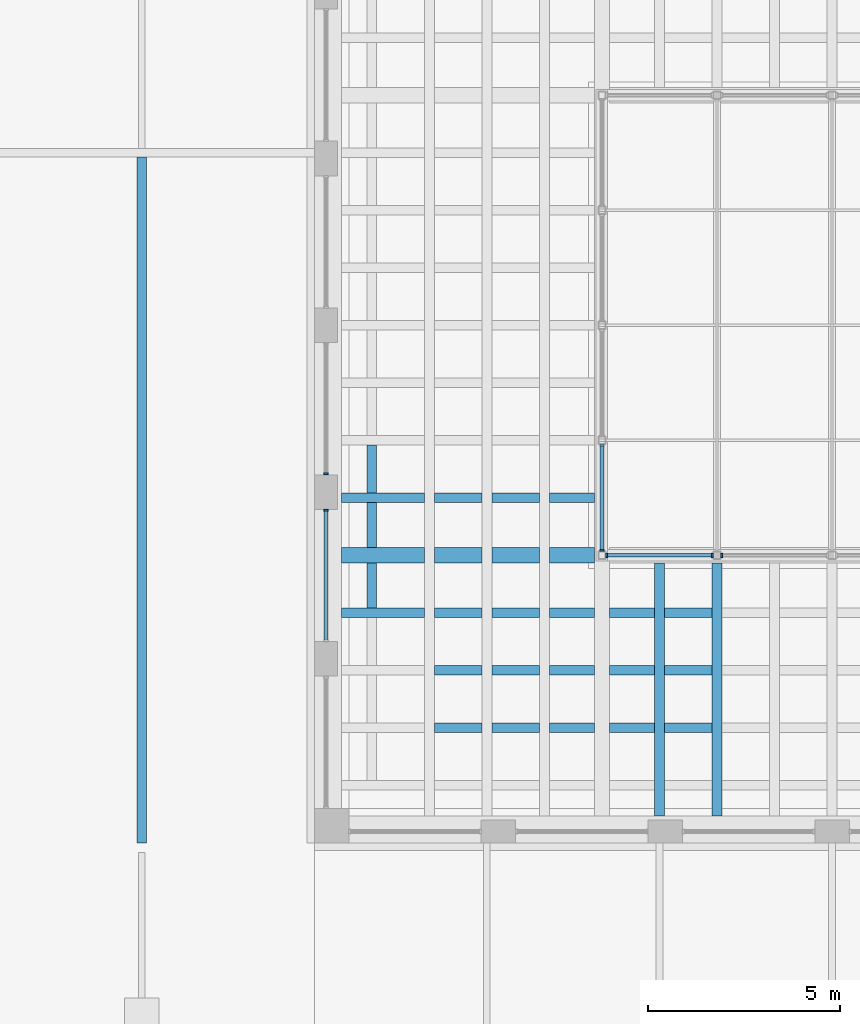
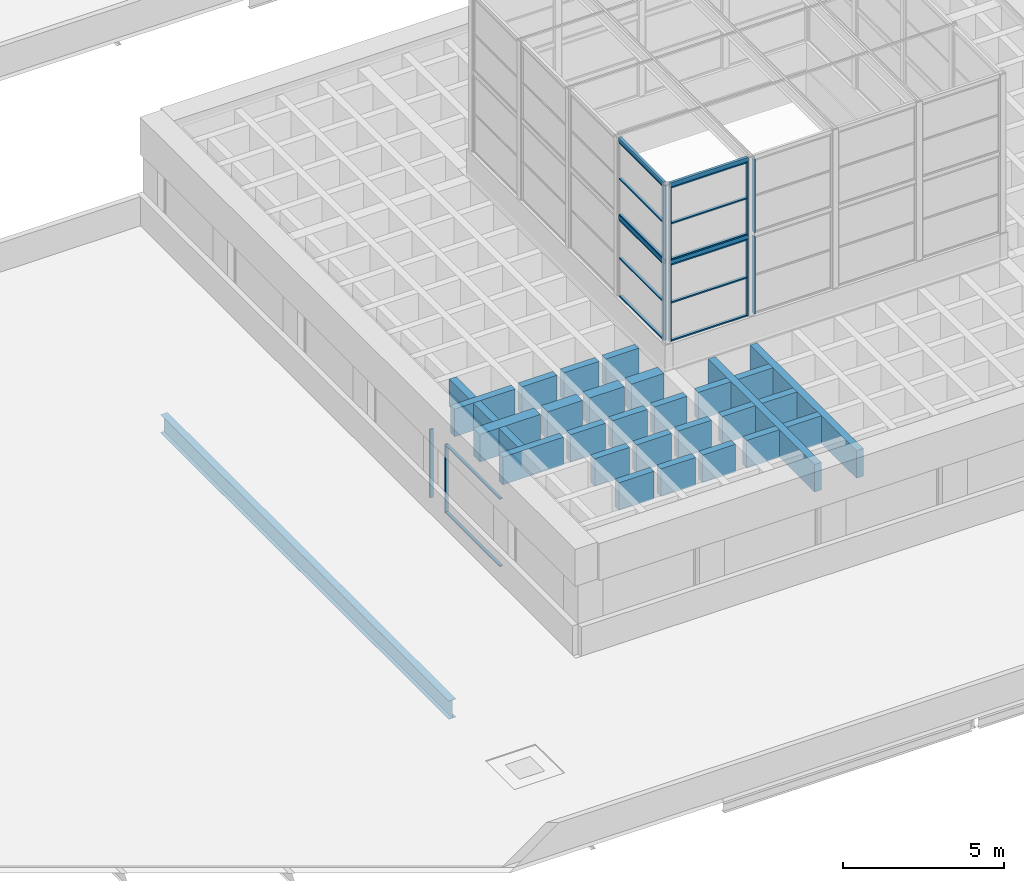
# One storey, part 13 of 50: 34 beams, 24 members, 8 elements without a shape of their own.
"""IFC4 building model written with IfcOpenShell, lengths in metres."""

from ifc_helpers import new_model, si_unit, direction, frame, origin, origin_2d, place, context, subcontext, project, spatial, rectangle, hollow_rectangle, i_section, extrude, material, layer, layer_set, material_profile, profile_set, type_object, element, aggregate, save


model = new_model("IFC4")

# Units and contexts
model_context = context("Model", 3, precision=1e-05, world=origin(), true_north=direction((0.0, 1.0)))
body_context = subcontext(model_context, "Body", "Model", "MODEL_VIEW")
ifc_project = project(units=[si_unit("LENGTHUNIT", "METRE"), si_unit("AREAUNIT", "SQUARE_METRE"), si_unit("VOLUMEUNIT", "CUBIC_METRE"), si_unit("PLANEANGLEUNIT", "RADIAN"), si_unit("MASSUNIT", "GRAM", prefix="KILO")], contexts=[model_context])

# Site, building, storey
site_placement = place(None, origin())
site = spatial("IfcSite", under=ifc_project, at=site_placement, CompositionType="ELEMENT")
building_placement = place(site_placement, origin())
building = spatial("IfcBuilding", under=site, at=building_placement, Name="Corbel Yard City Hall", CompositionType="ELEMENT")
storey_placement = place(building_placement, frame((0.0, 0.0, 15.0)))
storey = spatial("IfcBuildingStorey", under=building, at=storey_placement, Name="L03", CompositionType="ELEMENT", Elevation=15.0)

# Beams
ifc_material_1 = material(Name="Concrete N50 (50 MPa)", Category="concrete")
ifc_material_profile_1 = material_profile(ifc_material_1, rectangle(XDim=0.25, YDim=1.050048828125, at=origin_2d()), Name="250x1050")
ifc_profile_set_1 = profile_set([ifc_material_profile_1], Name="Concrete N50 (50 MPa)")
beam_type_1 = type_object("IfcBeamType", Name="Coffer bay rib RC 250X1050", PredefinedType="T_BEAM", material=ifc_profile_set_1)
for number, where, z_axis, x_axis, name in (
    (1, (126.0, 54.699951171875, 3.125), (0.0, 1.0, 0.0), (-1.0, 0.0, 0.0), "Coffer bay rib RB5"),
    (2, (127.5, 54.699951171875, 3.125), (0.0, 1.0, 0.0), (-1.0, 0.0, 0.0), "Coffer bay rib RB5"),
):
    element("IfcBeam", number, at=place(storey_placement, frame(where, z_axis=z_axis, x_axis=x_axis)), inside=storey, type_object=beam_type_1, Name=name, PredefinedType="T_BEAM", context=body_context, shape_type="SweptSolid", body=[
        extrude(rectangle(XDim=0.25, YDim=1.050048828125, at=origin_2d()), origin(), (0.0, 0.0, 1.0), 6.60009765625),
    ])
ifc_material_profile_2 = material_profile(ifc_material_1, rectangle(XDim=0.25, YDim=1.050048828125, at=origin_2d()), Name="250x1050")
ifc_profile_set_2 = profile_set([ifc_material_profile_2], Name="Concrete N50 (50 MPa)")
beam_type_2 = type_object("IfcBeamType", Name="Coffer cross rib RC 250X1050", PredefinedType="T_BEAM", material=ifc_profile_set_2)
for number, where, z_axis, x_axis, name in (
    (3, (118.5, 60.125, 3.125), (0.0, 1.0, 0.0), (-1.0, 0.0, 0.0), "Coffer cross rib RB3"),
    (4, (118.5, 61.699951171875, 3.125), (0.0, 1.0, 0.0), (-1.0, 0.0, 0.0), "Coffer cross rib RB3"),
):
    element("IfcBeam", number, at=place(storey_placement, frame(where, z_axis=z_axis, x_axis=x_axis)), inside=storey, type_object=beam_type_2, Name=name, PredefinedType="T_BEAM", context=body_context, shape_type="SweptSolid", body=[
        extrude(rectangle(XDim=0.25, YDim=1.050048828125, at=origin_2d()), origin(), (0.0, 0.0, 1.0), 1.175048828125),
    ])
for number, where, z_axis, x_axis, name in (
    (5, (118.5, 63.125, 3.125), (0.0, 1.0, 0.0), (-1.0, 0.0, 0.0), "Coffer cross rib RB3"),
    (6, (120.125, 57.0, 3.125), (1.0, 0.0, 0.0), (0.0, 1.0, 0.0), "Coffer cross rib RB3"),
    (7, (121.625, 57.0, 3.125), (1.0, 0.0, 0.0), (0.0, 1.0, 0.0), "Coffer cross rib RB3"),
):
    element("IfcBeam", number, at=place(storey_placement, frame(where, z_axis=z_axis, x_axis=x_axis)), inside=storey, type_object=beam_type_2, Name=name, PredefinedType="T_BEAM", context=body_context, shape_type="SweptSolid", body=[
        extrude(rectangle(XDim=0.25, YDim=1.050048828125, at=origin_2d()), origin(), (0.0, 0.0, 1.0), 1.25),
    ])
for number, where, z_axis, x_axis, name in (
    (8, (123.125, 57.0, 3.125), (1.0, 0.0, 0.0), (0.0, 1.0, 0.0), "Coffer cross rib RB3"),
    (9, (124.699951171875, 57.0, 3.125), (1.0, 0.0, 0.0), (0.0, 1.0, 0.0), "Coffer cross rib RB3"),
):
    element("IfcBeam", number, at=place(storey_placement, frame(where, z_axis=z_axis, x_axis=x_axis)), inside=storey, type_object=beam_type_2, Name=name, PredefinedType="T_BEAM", context=body_context, shape_type="SweptSolid", body=[
        extrude(rectangle(XDim=0.25, YDim=1.050048828125, at=origin_2d()), origin(), (0.0, 0.0, 1.0), 1.175048828125),
    ])
for number, where, z_axis, x_axis, name in (
    (10, (126.125, 57.0, 3.125), (1.0, 0.0, 0.0), (0.0, 1.0, 0.0), "Coffer cross rib RB3"),
    (11, (120.125, 58.5, 3.125), (1.0, 0.0, 0.0), (0.0, 1.0, 0.0), "Coffer cross rib RB3"),
    (12, (121.625, 58.5, 3.125), (1.0, 0.0, 0.0), (0.0, 1.0, 0.0), "Coffer cross rib RB3"),
):
    element("IfcBeam", number, at=place(storey_placement, frame(where, z_axis=z_axis, x_axis=x_axis)), inside=storey, type_object=beam_type_2, Name=name, PredefinedType="T_BEAM", context=body_context, shape_type="SweptSolid", body=[
        extrude(rectangle(XDim=0.25, YDim=1.050048828125, at=origin_2d()), origin(), (0.0, 0.0, 1.0), 1.25),
    ])
for number, where, z_axis, x_axis, name in (
    (13, (123.125, 58.5, 3.125), (1.0, 0.0, 0.0), (0.0, 1.0, 0.0), "Coffer cross rib RB3"),
    (14, (124.699951171875, 58.5, 3.125), (1.0, 0.0, 0.0), (0.0, 1.0, 0.0), "Coffer cross rib RB3"),
):
    element("IfcBeam", number, at=place(storey_placement, frame(where, z_axis=z_axis, x_axis=x_axis)), inside=storey, type_object=beam_type_2, Name=name, PredefinedType="T_BEAM", context=body_context, shape_type="SweptSolid", body=[
        extrude(rectangle(XDim=0.25, YDim=1.050048828125, at=origin_2d()), origin(), (0.0, 0.0, 1.0), 1.175048828125),
    ])
beam_1_placement = place(storey_placement, frame((126.125, 58.5, 3.125), z_axis=(1.0, 0.0, 0.0), x_axis=(0.0, 1.0, 0.0)))
element("IfcBeam", 15, at=beam_1_placement, inside=storey, type_object=beam_type_2, Name="Coffer cross rib RB3", PredefinedType="T_BEAM", context=body_context, shape_type="SweptSolid", body=[
    extrude(rectangle(XDim=0.25, YDim=1.050048828125, at=origin_2d()), origin(), (0.0, 0.0, 1.0), 1.25),
])
beam_2_placement = place(storey_placement, frame((117.699951171875, 60.0, 3.125), z_axis=(1.0, 0.0, 0.0), x_axis=(0.0, 1.0, 0.0)))
element("IfcBeam", 16, at=beam_2_placement, inside=storey, type_object=beam_type_2, Name="Coffer cross rib RB3", PredefinedType="T_BEAM", context=body_context, shape_type="SweptSolid", body=[
    extrude(rectangle(XDim=0.25, YDim=1.050048828125, at=origin_2d()), origin(), (0.0, 0.0, 1.0), 2.175048828125),
])
for number, where, z_axis, x_axis, name in (
    (17, (120.125, 60.0, 3.125), (1.0, 0.0, 0.0), (0.0, 1.0, 0.0), "Coffer cross rib RB3"),
    (18, (121.625, 60.0, 3.125), (1.0, 0.0, 0.0), (0.0, 1.0, 0.0), "Coffer cross rib RB3"),
):
    element("IfcBeam", number, at=place(storey_placement, frame(where, z_axis=z_axis, x_axis=x_axis)), inside=storey, type_object=beam_type_2, Name=name, PredefinedType="T_BEAM", context=body_context, shape_type="SweptSolid", body=[
        extrude(rectangle(XDim=0.25, YDim=1.050048828125, at=origin_2d()), origin(), (0.0, 0.0, 1.0), 1.25),
    ])
for number, where, z_axis, x_axis, name in (
    (19, (123.125, 60.0, 3.125), (1.0, 0.0, 0.0), (0.0, 1.0, 0.0), "Coffer cross rib RB3"),
    (20, (124.699951171875, 60.0, 3.125), (1.0, 0.0, 0.0), (0.0, 1.0, 0.0), "Coffer cross rib RB3"),
):
    element("IfcBeam", number, at=place(storey_placement, frame(where, z_axis=z_axis, x_axis=x_axis)), inside=storey, type_object=beam_type_2, Name=name, PredefinedType="T_BEAM", context=body_context, shape_type="SweptSolid", body=[
        extrude(rectangle(XDim=0.25, YDim=1.050048828125, at=origin_2d()), origin(), (0.0, 0.0, 1.0), 1.175048828125),
    ])
beam_3_placement = place(storey_placement, frame((126.125, 60.0, 3.125), z_axis=(1.0, 0.0, 0.0), x_axis=(0.0, 1.0, 0.0)))
element("IfcBeam", 21, at=beam_3_placement, inside=storey, type_object=beam_type_2, Name="Coffer cross rib RB3", PredefinedType="T_BEAM", context=body_context, shape_type="SweptSolid", body=[
    extrude(rectangle(XDim=0.25, YDim=1.050048828125, at=origin_2d()), origin(), (0.0, 0.0, 1.0), 1.25),
])
beam_4_placement = place(storey_placement, frame((117.699951171875, 63.0, 3.125), z_axis=(1.0, 0.0, 0.0), x_axis=(0.0, 1.0, 0.0)))
element("IfcBeam", 22, at=beam_4_placement, inside=storey, type_object=beam_type_2, Name="Coffer cross rib RB3", PredefinedType="T_BEAM", context=body_context, shape_type="SweptSolid", body=[
    extrude(rectangle(XDim=0.25, YDim=1.050048828125, at=origin_2d()), origin(), (0.0, 0.0, 1.0), 2.175048828125),
])
for number, where, z_axis, x_axis, name in (
    (23, (120.125, 63.0, 3.125), (1.0, 0.0, 0.0), (0.0, 1.0, 0.0), "Coffer cross rib RB3"),
    (24, (121.625, 63.0, 3.125), (1.0, 0.0, 0.0), (0.0, 1.0, 0.0), "Coffer cross rib RB3"),
):
    element("IfcBeam", number, at=place(storey_placement, frame(where, z_axis=z_axis, x_axis=x_axis)), inside=storey, type_object=beam_type_2, Name=name, PredefinedType="T_BEAM", context=body_context, shape_type="SweptSolid", body=[
        extrude(rectangle(XDim=0.25, YDim=1.050048828125, at=origin_2d()), origin(), (0.0, 0.0, 1.0), 1.25),
    ])
beam_5_placement = place(storey_placement, frame((123.125, 63.0, 3.125), z_axis=(1.0, 0.0, 0.0), x_axis=(0.0, 1.0, 0.0)))
element("IfcBeam", 25, at=beam_5_placement, inside=storey, type_object=beam_type_2, Name="Coffer cross rib RB3", PredefinedType="T_BEAM", context=body_context, shape_type="SweptSolid", body=[
    extrude(rectangle(XDim=0.25, YDim=1.050048828125, at=origin_2d()), origin(), (0.0, 0.0, 1.0), 1.175048828125),
])
ifc_material_2 = material(Name="Steel Grade C450L0", Category="steel")
ifc_material_profile_3 = material_profile(ifc_material_2, hollow_rectangle(XDim=0.10009765625, YDim=0.14990234375, WallThickness=0.006103515625, at=origin_2d()), Name="150x100x6.0RHS")
ifc_profile_set_3 = profile_set([ifc_material_profile_3], Name="Steel Grade C450L0")
beam_type_3 = type_object("IfcBeamType", Name="Lantern frame beam 150x100x6.0RHS", PredefinedType="BEAM", material=ifc_profile_set_3)
for number, where, z_axis, x_axis, name in (
    (26, (124.60009765625, 61.5, 10.574951171875), (1.0, 0.0, 0.0), (0.0, 1.0, 0.0), "Lantern frame beam 150x100x6.0RHS SB22"),
    (27, (124.5, 61.60009765625, 10.574951171875), (0.0, 1.0, 0.0), (-1.0, 0.0, 0.0), "Lantern frame beam 150x100x6.0RHS SB22"),
    (28, (124.60009765625, 61.5, 7.64990234375), (1.0, 0.0, 0.0), (0.0, 1.0, 0.0), "Lantern frame beam 150x100x6.0RHS SB22"),
    (29, (124.5, 61.60009765625, 7.64990234375), (0.0, 1.0, 0.0), (-1.0, 0.0, 0.0), "Lantern frame beam 150x100x6.0RHS SB22"),
):
    element("IfcBeam", number, at=place(storey_placement, frame(where, z_axis=z_axis, x_axis=x_axis)), inside=storey, type_object=beam_type_3, Name=name, PredefinedType="BEAM", context=body_context, shape_type="SweptSolid", body=[
        extrude(hollow_rectangle(XDim=0.10009765625, YDim=0.14990234375, WallThickness=0.006103515625, at=origin_2d()), origin(), (0.0, 0.0, 1.0), 2.7998046875),
    ])
ifc_material_profile_4 = material_profile(ifc_material_1, rectangle(XDim=0.39990234375, YDim=1.050048828125, at=origin_2d()), Name="400x1050")
ifc_profile_set_4 = profile_set([ifc_material_profile_4], Name="Concrete N50 (50 MPa)")
beam_type_4 = type_object("IfcBeamType", Name="Lantern trimmer cross rib RC 400X1050", PredefinedType="BEAM", material=ifc_profile_set_4)
beam_6_placement = place(storey_placement, frame((117.699951171875, 61.5, 3.125), z_axis=(1.0, 0.0, 0.0), x_axis=(0.0, 1.0, 0.0)))
element("IfcBeam", 30, at=beam_6_placement, inside=storey, type_object=beam_type_4, Name="Lantern trimmer cross rib RB4", PredefinedType="BEAM", context=body_context, shape_type="SweptSolid", body=[
    extrude(rectangle(XDim=0.39990234375, YDim=1.050048828125, at=origin_2d()), origin(), (0.0, 0.0, 1.0), 2.175048828125),
])
for number, where, z_axis, x_axis, name in (
    (31, (120.125, 61.5, 3.125), (1.0, 0.0, 0.0), (0.0, 1.0, 0.0), "Lantern trimmer cross rib RB4"),
    (32, (121.625, 61.5, 3.125), (1.0, 0.0, 0.0), (0.0, 1.0, 0.0), "Lantern trimmer cross rib RB4"),
):
    element("IfcBeam", number, at=place(storey_placement, frame(where, z_axis=z_axis, x_axis=x_axis)), inside=storey, type_object=beam_type_4, Name=name, PredefinedType="BEAM", context=body_context, shape_type="SweptSolid", body=[
        extrude(rectangle(XDim=0.39990234375, YDim=1.050048828125, at=origin_2d()), origin(), (0.0, 0.0, 1.0), 1.25),
    ])
beam_7_placement = place(storey_placement, frame((123.125, 61.5, 3.125), z_axis=(1.0, 0.0, 0.0), x_axis=(0.0, 1.0, 0.0)))
element("IfcBeam", 33, at=beam_7_placement, inside=storey, type_object=beam_type_4, Name="Lantern trimmer cross rib RB4", PredefinedType="BEAM", context=body_context, shape_type="SweptSolid", body=[
    extrude(rectangle(XDim=0.39990234375, YDim=1.050048828125, at=origin_2d()), origin(), (0.0, 0.0, 1.0), 1.175048828125),
])
ifc_material_3 = material(Name="Steel Grade 350", Category="steel")
ifc_material_profile_5 = material_profile(ifc_material_3, i_section(OverallWidth=0.25, OverallDepth=0.699951171875, WebThickness=0.010009765625, FlangeThickness=0.02001953125, at=origin_2d()), Name="700WB130")
ifc_profile_set_5 = profile_set([ifc_material_profile_5], Name="Steel Grade 350")
beam_type_5 = type_object("IfcBeamType", Name="Long-span secondary beam 700WB130", PredefinedType="JOIST", material=ifc_profile_set_5)
beam_8_placement = place(storey_placement, frame((112.5, 54.0, -0.5), z_axis=(0.0, 1.0, 0.0), x_axis=(-1.0, 0.0, 0.0)))
element("IfcBeam", 34, at=beam_8_placement, inside=storey, type_object=beam_type_5, Name="Long-span secondary beam 700WB130 SB16 L03roof", PredefinedType="JOIST", context=body_context, shape_type="SweptSolid", body=[
    extrude(i_section(OverallWidth=0.25, OverallDepth=0.699951171875, WebThickness=0.010009765625, FlangeThickness=0.02001953125, at=origin_2d()), origin(), (0.0, 0.0, 1.0), 17.885498046875),
])

# Curtain wall, members
ifc_material_4 = material(Name="Aluminium extrusion", Category="aluminium")
ifc_layer = layer(ifc_material_4, 0.1201171875)
ifc_layer_set = layer_set([ifc_layer], Name="Aluminium extrusion")
curtain_wall_type = type_object("IfcCurtainWallType", Name="CW3", PredefinedType="USERDEFINED", material=ifc_layer_set)
curtain_wall_1_placement = place(storey_placement, origin())
curtain_wall_1 = element("IfcCurtainWall", 35, at=curtain_wall_1_placement, inside=storey, type_object=curtain_wall_type, Name="Lantern glazing", ObjectType="CURTAIN WALL", PredefinedType="USERDEFINED")
ifc_material_profile_6 = material_profile(ifc_material_4, rectangle(XDim=0.1201171875, YDim=0.050048828125, at=origin_2d()), Name="120x50")
ifc_profile_set_6 = profile_set([ifc_material_profile_6], Name="Aluminium extrusion")
member_type_1 = type_object("IfcMemberType", Name="ML3", PredefinedType="MULLION", material=ifc_profile_set_6)
member_1_placement = place(storey_placement, frame((124.625, 61.5, 4.64990234375), z_axis=(0.0, 0.0, 1.0), x_axis=(0.0, 1.0, 0.0)))
member_1 = element("IfcMember", 36, at=member_1_placement, type_object=member_type_1, Name="CW3 mullion 1", PredefinedType="MULLION", context=body_context, shape_type="SweptSolid", body=[
    extrude(rectangle(XDim=0.1201171875, YDim=0.050048828125, at=origin_2d()), origin(), (0.0, 0.0, 1.0), 2.925048828125),
])
member_2_placement = place(storey_placement, frame((127.375, 61.5, 4.64990234375), z_axis=(0.0, 0.0, 1.0), x_axis=(0.0, 1.0, 0.0)))
member_2 = element("IfcMember", 37, at=member_2_placement, type_object=member_type_1, Name="CW3 mullion 2", PredefinedType="MULLION", context=body_context, shape_type="SweptSolid", body=[
    extrude(rectangle(XDim=0.1201171875, YDim=0.050048828125, at=origin_2d()), origin(), (0.0, 0.0, 1.0), 2.925048828125),
])

# Curtain wall, member
curtain_wall_2_placement = place(storey_placement, origin())
curtain_wall_2 = element("IfcCurtainWall", 38, at=curtain_wall_2_placement, inside=storey, type_object=curtain_wall_type, Name="Lantern glazing", ObjectType="CURTAIN WALL", PredefinedType="USERDEFINED")
member_3_placement = place(storey_placement, frame((127.625, 61.5, 4.64990234375), z_axis=(0.0, 0.0, 1.0), x_axis=(0.0, 1.0, 0.0)))
member_3 = element("IfcMember", 39, at=member_3_placement, type_object=member_type_1, Name="CW3 mullion 1", PredefinedType="MULLION", context=body_context, shape_type="SweptSolid", body=[
    extrude(rectangle(XDim=0.1201171875, YDim=0.050048828125, at=origin_2d()), origin(), (0.0, 0.0, 1.0), 2.925048828125),
])
aggregate(curtain_wall_2, [member_3])

curtain_wall_3_placement = place(storey_placement, origin())
curtain_wall_3 = element("IfcCurtainWall", 40, at=curtain_wall_3_placement, inside=storey, type_object=curtain_wall_type, Name="Lantern glazing", ObjectType="CURTAIN WALL", PredefinedType="USERDEFINED")
member_4_placement = place(storey_placement, frame((124.5, 61.625, 4.64990234375), z_axis=(0.0, 0.0, 1.0), x_axis=(-1.0, 0.0, 0.0)))
member_4 = element("IfcMember", 41, at=member_4_placement, type_object=member_type_1, Name="CW3 mullion 1", PredefinedType="MULLION", context=body_context, shape_type="SweptSolid", body=[
    extrude(rectangle(XDim=0.1201171875, YDim=0.050048828125, at=origin_2d()), origin(), (0.0, 0.0, 1.0), 2.925048828125),
])

# Curtain wall, members
curtain_wall_4_placement = place(storey_placement, origin())
curtain_wall_4 = element("IfcCurtainWall", 42, at=curtain_wall_4_placement, inside=storey, type_object=curtain_wall_type, Name="Lantern glazing", ObjectType="CURTAIN WALL", PredefinedType="USERDEFINED")
member_5_placement = place(storey_placement, frame((124.625, 61.5, 7.72509765625), z_axis=(0.0, 0.0, 1.0), x_axis=(0.0, 1.0, 0.0)))
member_5 = element("IfcMember", 43, at=member_5_placement, type_object=member_type_1, Name="CW3 mullion 1", PredefinedType="MULLION", context=body_context, shape_type="SweptSolid", body=[
    extrude(rectangle(XDim=0.1201171875, YDim=0.050048828125, at=origin_2d()), origin(), (0.0, 0.0, 1.0), 2.77490234375),
])
member_6_placement = place(storey_placement, frame((127.375, 61.5, 7.72509765625), z_axis=(0.0, 0.0, 1.0), x_axis=(0.0, 1.0, 0.0)))
member_6 = element("IfcMember", 44, at=member_6_placement, type_object=member_type_1, Name="CW3 mullion 2", PredefinedType="MULLION", context=body_context, shape_type="SweptSolid", body=[
    extrude(rectangle(XDim=0.1201171875, YDim=0.050048828125, at=origin_2d()), origin(), (0.0, 0.0, 1.0), 2.77490234375),
])

# Curtain wall, member
curtain_wall_5_placement = place(storey_placement, origin())
curtain_wall_5 = element("IfcCurtainWall", 45, at=curtain_wall_5_placement, inside=storey, type_object=curtain_wall_type, Name="Lantern glazing", ObjectType="CURTAIN WALL", PredefinedType="USERDEFINED")
member_7_placement = place(storey_placement, frame((127.625, 61.5, 7.72509765625), z_axis=(0.0, 0.0, 1.0), x_axis=(0.0, 1.0, 0.0)))
member_7 = element("IfcMember", 46, at=member_7_placement, type_object=member_type_1, Name="CW3 mullion 1", PredefinedType="MULLION", context=body_context, shape_type="SweptSolid", body=[
    extrude(rectangle(XDim=0.1201171875, YDim=0.050048828125, at=origin_2d()), origin(), (0.0, 0.0, 1.0), 2.77490234375),
])
aggregate(curtain_wall_5, [member_7])

curtain_wall_6_placement = place(storey_placement, origin())
curtain_wall_6 = element("IfcCurtainWall", 47, at=curtain_wall_6_placement, inside=storey, type_object=curtain_wall_type, Name="Lantern glazing", ObjectType="CURTAIN WALL", PredefinedType="USERDEFINED")
member_8_placement = place(storey_placement, frame((124.5, 61.625, 7.72509765625), z_axis=(0.0, 0.0, 1.0), x_axis=(-1.0, 0.0, 0.0)))
member_8 = element("IfcMember", 48, at=member_8_placement, type_object=member_type_1, Name="CW3 mullion 1", PredefinedType="MULLION", context=body_context, shape_type="SweptSolid", body=[
    extrude(rectangle(XDim=0.1201171875, YDim=0.050048828125, at=origin_2d()), origin(), (0.0, 0.0, 1.0), 2.77490234375),
])

curtain_wall_7_placement = place(storey_placement, origin())
curtain_wall_7 = element("IfcCurtainWall", 49, at=curtain_wall_7_placement, inside=storey, type_object=curtain_wall_type, Name="Chamber clerestory glazing", ObjectType="CURTAIN WALL", PredefinedType="USERDEFINED")
member_9_placement = place(storey_placement, frame((117.300048828125, 62.675048828125, 0.0), z_axis=(0.0, 0.0, 1.0), x_axis=(-1.0, 0.0, 0.0)))
member_9 = element("IfcMember", 50, at=member_9_placement, type_object=member_type_1, Name="CW3 mullion 2", PredefinedType="MULLION", context=body_context, shape_type="SweptSolid", body=[
    extrude(rectangle(XDim=0.1201171875, YDim=0.050048828125, at=origin_2d()), origin(), (0.0, 0.0, 1.0), 2.60009765625),
])

curtain_wall_8_placement = place(storey_placement, origin())
curtain_wall_8 = element("IfcCurtainWall", 51, at=curtain_wall_8_placement, inside=storey, type_object=curtain_wall_type, Name="Chamber clerestory glazing", ObjectType="CURTAIN WALL", PredefinedType="USERDEFINED")
member_10_placement = place(storey_placement, frame((117.300048828125, 63.625, 0.0), z_axis=(0.0, 0.0, 1.0), x_axis=(-1.0, 0.0, 0.0)))
member_10 = element("IfcMember", 52, at=member_10_placement, type_object=member_type_1, Name="CW3 mullion 1", PredefinedType="MULLION", context=body_context, shape_type="SweptSolid", body=[
    extrude(rectangle(XDim=0.1201171875, YDim=0.050048828125, at=origin_2d()), origin(), (0.0, 0.0, 1.0), 2.60009765625),
])
aggregate(curtain_wall_8, [member_10])

# Member
ifc_material_profile_7 = material_profile(ifc_material_4, rectangle(XDim=0.10009765625, YDim=0.050048828125, at=origin_2d()), Name="100x50")
ifc_profile_set_7 = profile_set([ifc_material_profile_7], Name="Aluminium extrusion")
member_type_2 = type_object("IfcMemberType", Name="TR3", PredefinedType="USERDEFINED", material=ifc_profile_set_7)
member_11_placement = place(storey_placement, frame((124.64990234375, 61.5, 4.675048828125), z_axis=(1.0, 0.0, 0.0), x_axis=(0.0, 1.0, 0.0)))
member_11 = element("IfcMember", 53, at=member_11_placement, type_object=member_type_2, Name="CW3 transom 1.1", ObjectType="TRANSOM", PredefinedType="USERDEFINED", context=body_context, shape_type="SweptSolid", body=[
    extrude(rectangle(XDim=0.10009765625, YDim=0.050048828125, at=origin_2d()), origin(), (0.0, 0.0, 1.0), 2.7001953125),
])

member_12_placement = place(storey_placement, frame((124.64990234375, 61.5, 6.112548828125), z_axis=(1.0, 0.0, 0.0), x_axis=(0.0, 1.0, 0.0)))
member_12 = element("IfcMember", 54, at=member_12_placement, type_object=member_type_2, Name="CW3 transom 1.2", ObjectType="TRANSOM", PredefinedType="USERDEFINED", context=body_context, shape_type="SweptSolid", body=[
    extrude(rectangle(XDim=0.10009765625, YDim=0.050048828125, at=origin_2d()), origin(), (0.0, 0.0, 1.0), 2.7001953125),
])

member_13_placement = place(storey_placement, frame((124.64990234375, 61.5, 7.550048828125), z_axis=(1.0, 0.0, 0.0), x_axis=(0.0, 1.0, 0.0)))
member_13 = element("IfcMember", 55, at=member_13_placement, type_object=member_type_2, Name="CW3 transom 1.3", ObjectType="TRANSOM", PredefinedType="USERDEFINED", context=body_context, shape_type="SweptSolid", body=[
    extrude(rectangle(XDim=0.10009765625, YDim=0.050048828125, at=origin_2d()), origin(), (0.0, 0.0, 1.0), 2.7001953125),
])

aggregate(curtain_wall_1, [member_1, member_2, member_11, member_12, member_13])

member_14_placement = place(storey_placement, frame((124.5, 61.64990234375, 4.675048828125), z_axis=(0.0, 1.0, 0.0), x_axis=(-1.0, 0.0, 0.0)))
member_14 = element("IfcMember", 56, at=member_14_placement, type_object=member_type_2, Name="CW3 transom 1.1", ObjectType="TRANSOM", PredefinedType="USERDEFINED", context=body_context, shape_type="SweptSolid", body=[
    extrude(rectangle(XDim=0.10009765625, YDim=0.050048828125, at=origin_2d()), origin(), (0.0, 0.0, 1.0), 2.7001953125),
])

member_15_placement = place(storey_placement, frame((124.5, 61.64990234375, 6.112548828125), z_axis=(0.0, 1.0, 0.0), x_axis=(-1.0, 0.0, 0.0)))
member_15 = element("IfcMember", 57, at=member_15_placement, type_object=member_type_2, Name="CW3 transom 1.2", ObjectType="TRANSOM", PredefinedType="USERDEFINED", context=body_context, shape_type="SweptSolid", body=[
    extrude(rectangle(XDim=0.10009765625, YDim=0.050048828125, at=origin_2d()), origin(), (0.0, 0.0, 1.0), 2.7001953125),
])

member_16_placement = place(storey_placement, frame((124.5, 61.64990234375, 7.550048828125), z_axis=(0.0, 1.0, 0.0), x_axis=(-1.0, 0.0, 0.0)))
member_16 = element("IfcMember", 58, at=member_16_placement, type_object=member_type_2, Name="CW3 transom 1.3", ObjectType="TRANSOM", PredefinedType="USERDEFINED", context=body_context, shape_type="SweptSolid", body=[
    extrude(rectangle(XDim=0.10009765625, YDim=0.050048828125, at=origin_2d()), origin(), (0.0, 0.0, 1.0), 2.7001953125),
])

aggregate(curtain_wall_3, [member_4, member_14, member_15, member_16])

member_17_placement = place(storey_placement, frame((124.64990234375, 61.5, 7.75), z_axis=(1.0, 0.0, 0.0), x_axis=(0.0, 1.0, 0.0)))
member_17 = element("IfcMember", 59, at=member_17_placement, type_object=member_type_2, Name="CW3 transom 1.1", ObjectType="TRANSOM", PredefinedType="USERDEFINED", context=body_context, shape_type="SweptSolid", body=[
    extrude(rectangle(XDim=0.10009765625, YDim=0.050048828125, at=origin_2d()), origin(), (0.0, 0.0, 1.0), 2.7001953125),
])

member_18_placement = place(storey_placement, frame((124.64990234375, 61.5, 9.112548828125), z_axis=(1.0, 0.0, 0.0), x_axis=(0.0, 1.0, 0.0)))
member_18 = element("IfcMember", 60, at=member_18_placement, type_object=member_type_2, Name="CW3 transom 1.2", ObjectType="TRANSOM", PredefinedType="USERDEFINED", context=body_context, shape_type="SweptSolid", body=[
    extrude(rectangle(XDim=0.10009765625, YDim=0.050048828125, at=origin_2d()), origin(), (0.0, 0.0, 1.0), 2.7001953125),
])

member_19_placement = place(storey_placement, frame((124.64990234375, 61.5, 10.47509765625), z_axis=(1.0, 0.0, 0.0), x_axis=(0.0, 1.0, 0.0)))
member_19 = element("IfcMember", 61, at=member_19_placement, type_object=member_type_2, Name="CW3 transom 1.3", ObjectType="TRANSOM", PredefinedType="USERDEFINED", context=body_context, shape_type="SweptSolid", body=[
    extrude(rectangle(XDim=0.10009765625, YDim=0.050048828125, at=origin_2d()), origin(), (0.0, 0.0, 1.0), 2.7001953125),
])

aggregate(curtain_wall_4, [member_5, member_6, member_17, member_18, member_19])

member_20_placement = place(storey_placement, frame((124.5, 61.64990234375, 7.75), z_axis=(0.0, 1.0, 0.0), x_axis=(-1.0, 0.0, 0.0)))
member_20 = element("IfcMember", 62, at=member_20_placement, type_object=member_type_2, Name="CW3 transom 1.1", ObjectType="TRANSOM", PredefinedType="USERDEFINED", context=body_context, shape_type="SweptSolid", body=[
    extrude(rectangle(XDim=0.10009765625, YDim=0.050048828125, at=origin_2d()), origin(), (0.0, 0.0, 1.0), 2.7001953125),
])

member_21_placement = place(storey_placement, frame((124.5, 61.64990234375, 9.112548828125), z_axis=(0.0, 1.0, 0.0), x_axis=(-1.0, 0.0, 0.0)))
member_21 = element("IfcMember", 63, at=member_21_placement, type_object=member_type_2, Name="CW3 transom 1.2", ObjectType="TRANSOM", PredefinedType="USERDEFINED", context=body_context, shape_type="SweptSolid", body=[
    extrude(rectangle(XDim=0.10009765625, YDim=0.050048828125, at=origin_2d()), origin(), (0.0, 0.0, 1.0), 2.7001953125),
])

member_22_placement = place(storey_placement, frame((124.5, 61.64990234375, 10.47509765625), z_axis=(0.0, 1.0, 0.0), x_axis=(-1.0, 0.0, 0.0)))
member_22 = element("IfcMember", 64, at=member_22_placement, type_object=member_type_2, Name="CW3 transom 1.3", ObjectType="TRANSOM", PredefinedType="USERDEFINED", context=body_context, shape_type="SweptSolid", body=[
    extrude(rectangle(XDim=0.10009765625, YDim=0.050048828125, at=origin_2d()), origin(), (0.0, 0.0, 1.0), 2.7001953125),
])

aggregate(curtain_wall_6, [member_8, member_20, member_21, member_22])

member_23_placement = place(storey_placement, frame((117.300048828125, 59.300048828125, 0.02490234375), z_axis=(0.0, 1.0, 0.0), x_axis=(-1.0, 0.0, 0.0)))
member_23 = element("IfcMember", 65, at=member_23_placement, type_object=member_type_2, Name="CW3 transom 1.1", ObjectType="TRANSOM", PredefinedType="USERDEFINED", context=body_context, shape_type="SweptSolid", body=[
    extrude(rectangle(XDim=0.10009765625, YDim=0.050048828125, at=origin_2d()), origin(), (0.0, 0.0, 1.0), 3.349853515625),
])

member_24_placement = place(storey_placement, frame((117.300048828125, 59.300048828125, 2.574951171875), z_axis=(0.0, 1.0, 0.0), x_axis=(-1.0, 0.0, 0.0)))
member_24 = element("IfcMember", 66, at=member_24_placement, type_object=member_type_2, Name="CW3 transom 1.2", ObjectType="TRANSOM", PredefinedType="USERDEFINED", context=body_context, shape_type="SweptSolid", body=[
    extrude(rectangle(XDim=0.10009765625, YDim=0.050048828125, at=origin_2d()), origin(), (0.0, 0.0, 1.0), 3.349853515625),
])

aggregate(curtain_wall_7, [member_9, member_23, member_24])

save(model, "model.ifc")
